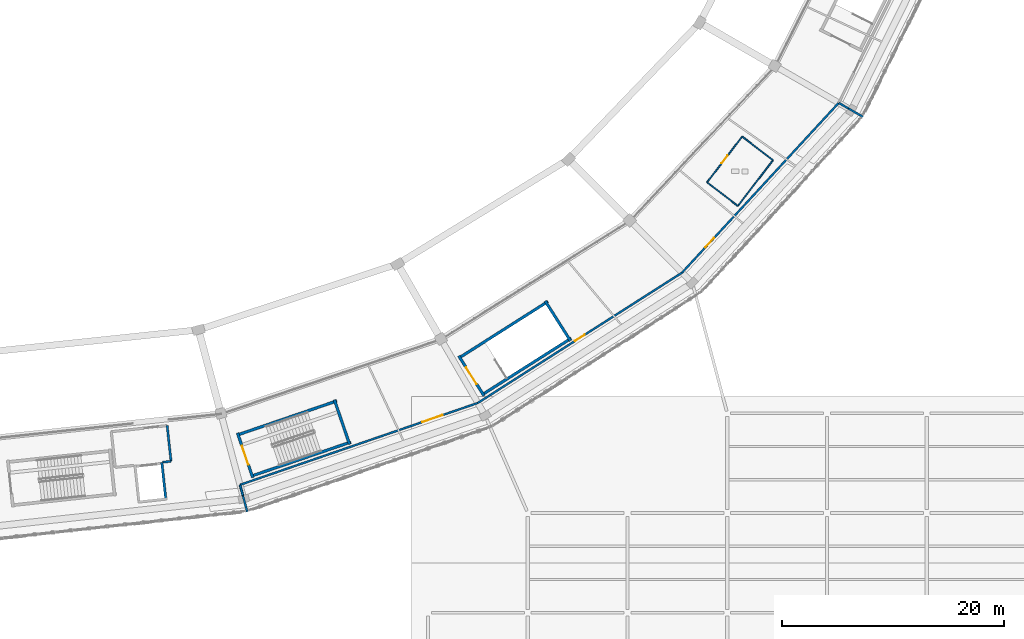
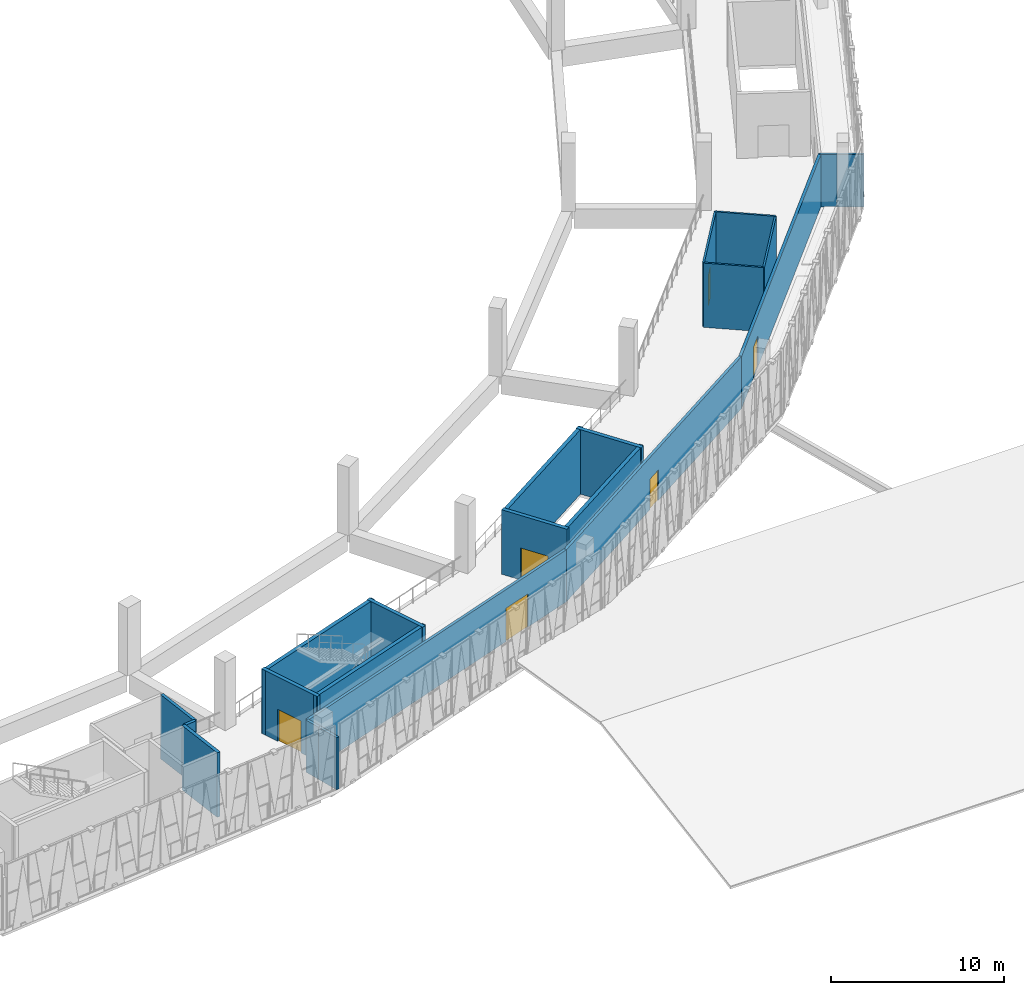
# One storey, part 69 of 108: 22 walls, 6 doors, 6 openings.
"""IFC4 building model written with IfcOpenShell, lengths in metres."""

from ifc_helpers import new_model, si_unit, direction, frame, frame_2d, origin, place, context, subcontext, project, spatial, rectangle, extrude, material, layer, layer_set, type_object, element, fill, save


model = new_model("IFC4")

# Units and contexts
model_context = context("Model", 3, precision=1e-05, world=origin(), true_north=direction((0.0, 1.0)))
body_context = subcontext(model_context, "Body", "Model", "MODEL_VIEW")
ifc_project = project(units=[si_unit("LENGTHUNIT", "METRE"), si_unit("AREAUNIT", "SQUARE_METRE"), si_unit("VOLUMEUNIT", "CUBIC_METRE"), si_unit("PLANEANGLEUNIT", "RADIAN"), si_unit("MASSUNIT", "GRAM", prefix="KILO")], contexts=[model_context])

# Site, building, storey
site_placement = place(None, origin())
site = spatial("IfcSite", under=ifc_project, at=site_placement, CompositionType="ELEMENT")
building_placement = place(site_placement, origin())
building = spatial("IfcBuilding", under=site, at=building_placement, Name="Zevraka Park Crest Stadium", CompositionType="ELEMENT")
storey_placement = place(building_placement, frame((0.0, 0.0, 19.800048828125)))
storey = spatial("IfcBuildingStorey", under=building, at=storey_placement, Name="L04", CompositionType="ELEMENT", Elevation=19.800048828125)

# Walls
ifc_material_1 = material(Name="Autoclaved aerated masonry blockwork", Category="masonry")
ifc_layer_1 = layer(ifc_material_1, 0.199951171875)
ifc_layer_set_1 = layer_set([ifc_layer_1], Name="Autoclaved aerated masonry blockwork")
wall_type_1 = type_object("IfcWallType", Name="IW01", PredefinedType="PARTITIONING", material=ifc_layer_set_1)
wall_1_placement = place(storey_placement, frame((128.804931640625, 22.6650390625, 0.0), z_axis=(0.0, 0.0, 1.0), x_axis=(-0.994146742738, -0.108038205757, 0.0)))
element("IfcWall", 1, at=wall_1_placement, inside=storey, type_object=wall_type_1, Name="Firefighting Lift Lobby Wall IW01 FL04 L04 BACKL", PredefinedType="PARTITIONING", context=body_context, shape_type="SweptSolid", body=[
    extrude(rectangle(XDim=0.750244140625, YDim=0.199951171875, at=frame_2d((0.375, 0.0))), origin(), (0.0, 0.0, 1.0), 4.52001953125),
])
wall_2_placement = place(storey_placement, frame((128.804931640625, 22.6650390625, 0.0), z_axis=(0.0, 0.0, 1.0), x_axis=(-0.108280975823, 0.994120329877, 0.0)))
element("IfcWall", 2, at=wall_2_placement, inside=storey, type_object=wall_type_1, Name="Firefighting Lift Lobby Wall IW01 FL04 L04 LEFT", PredefinedType="PARTITIONING", context=body_context, shape_type="SweptSolid", body=[
    extrude(rectangle(XDim=3.239990234375, YDim=0.199951171875, at=frame_2d((1.6201171875, 0.0))), origin(), (0.0, 0.0, 1.0), 4.52001953125),
])

# Wall, opening, door
ifc_material_2 = material(Name="Moisture-resistant sanitary partition", Category="other")
ifc_layer_2 = layer(ifc_material_2, 0.1201171875)
ifc_layer_set_2 = layer_set([ifc_layer_2], Name="Moisture-resistant sanitary partition")
wall_type_2 = type_object("IfcWallType", Name="IW04", PredefinedType="PARTITIONING", material=ifc_layer_set_2)
wall_3_placement = place(storey_placement, frame((177.177978515625, 47.841064453125, 0.0), z_axis=(0.0, 0.0, 1.0), x_axis=(0.608648360817, 0.793440087767, 0.0)))
wall_3 = element("IfcWall", 3, at=wall_3_placement, inside=storey, type_object=wall_type_2, Name="Sanitary Enclosure Wall IW04 Female WC L04-002-1", PredefinedType="PARTITIONING", context=body_context, shape_type="SweptSolid", body=[
    extrude(rectangle(XDim=5.2001953125, YDim=0.1201171875, at=frame_2d((2.60009765625, 0.0))), origin(), (0.0, 0.0, 1.0), 4.52001953125),
])
opening_1_placement = place(wall_3_placement, frame((2.159912109375, 0.0, 0.0)))
opening_1 = element("IfcOpeningElement", 4, at=opening_1_placement, cuts=wall_3, Name="Opening D-L04-350", PredefinedType="OPENING", context=body_context, shape_type="SweptSolid", body=[
    extrude(rectangle(XDim=0.8798828125, YDim=2.10009765625, at=frame_2d((0.43994140625, 1.050048828125))), frame((0.0, 0.070068359375, 0.0), z_axis=(0.0, -1.0, 0.0), x_axis=(1.0, 0.0, 0.0)), (0.0, 0.0, 1.0), 0.14013671875),
])
ifc_material_3 = material(Name="Solid-core hardwood timber leaf in steel frame", Category="steel")
door_type_1 = type_object("IfcDoorType", Name="DR19", OperationType="NOTDEFINED", PredefinedType="DOOR", material=ifc_material_3)
door_1_placement = place(opening_1_placement, origin())
door_1 = element("IfcDoor", 5, at=door_1_placement, inside=storey, type_object=door_type_1, Name="Female WC Door D-L04-350", OperationType="SINGLE_SWING_RIGHT", OverallHeight=2.10009765625, OverallWidth=0.8798828125, PredefinedType="DOOR", context=body_context, shape_type="SweptSolid", body=[
    extrude(rectangle(XDim=0.8798828125, YDim=2.10009765625, at=frame_2d((0.43994140625, 1.050048828125))), frame((0.0, 0.02490234375, 0.0), z_axis=(0.0, -1.0, 0.0), x_axis=(1.0, 0.0, 0.0)), (0.0, 0.0, 1.0), 0.050048828125),
])
fill(opening_1, door_1)

# Walls
wall_4_placement = place(storey_placement, frame((180.343017578125, 51.967041015625, 0.0), z_axis=(0.0, 0.0, 1.0), x_axis=(0.793331259853, -0.608790203715, 0.0)))
element("IfcWall", 6, at=wall_4_placement, inside=storey, type_object=wall_type_2, Name="Sanitary Enclosure Wall IW04 Female WC L04-002-2", PredefinedType="PARTITIONING", context=body_context, shape_type="SweptSolid", body=[
    extrude(rectangle(XDim=3.50048828125, YDim=0.1201171875, at=frame_2d((1.750244140625, 0.0))), origin(), (0.0, 0.0, 1.0), 4.52001953125),
])
wall_5_placement = place(storey_placement, frame((183.1201171875, 49.8359375, 0.0), z_axis=(0.0, 0.0, 1.0), x_axis=(-0.608739062155, -0.793370502481, 0.0)))
element("IfcWall", 7, at=wall_5_placement, inside=storey, type_object=wall_type_2, Name="Sanitary Enclosure Wall IW04 Female WC L04-002-3", PredefinedType="PARTITIONING", context=body_context, shape_type="SweptSolid", body=[
    extrude(rectangle(XDim=5.19921875, YDim=0.1201171875, at=frame_2d((2.599609375, 0.0))), origin(), (0.0, 0.0, 1.0), 4.52001953125),
])
wall_6_placement = place(storey_placement, frame((179.955078125, 45.7109375, 0.0), z_axis=(0.0, 0.0, 1.0), x_axis=(-0.793465999837, 0.608614580094, 0.0)))
element("IfcWall", 8, at=wall_6_placement, inside=storey, type_object=wall_type_2, Name="Sanitary Enclosure Wall IW04 Female WC L04-002-4", PredefinedType="PARTITIONING", context=body_context, shape_type="SweptSolid", body=[
    extrude(rectangle(XDim=3.5, YDim=0.1201171875, at=frame_2d((1.75, 0.0))), origin(), (0.0, 0.0, 1.0), 4.52001953125),
])

# Wall, opening, door
ifc_material_4 = material(Name="Fire-rated twin-stud acoustic drywall", Category="other")
ifc_layer_3 = layer(ifc_material_4, 0.179931640625)
ifc_layer_set_3 = layer_set([ifc_layer_3], Name="Fire-rated twin-stud acoustic drywall")
wall_type_3 = type_object("IfcWallType", Name="IW06", PredefinedType="PARTITIONING", material=ifc_layer_set_3)
wall_7_placement = place(storey_placement, frame((135.030029296875, 20.541015625, 0.0), z_axis=(0.0, 0.0, 1.0), x_axis=(0.945509956828, 0.32559318411, 0.0)))
wall_7 = element("IfcWall", 9, at=wall_7_placement, inside=storey, type_object=wall_type_3, Name="Interior Partition IW06 Executive Club Lounge L04", PredefinedType="PARTITIONING", context=body_context, shape_type="SweptSolid", body=[
    extrude(rectangle(XDim=22.69677734375, YDim=0.179931640625, at=frame_2d((11.348388671875, 0.0))), origin(), (0.0, 0.0, 1.0), 3.6650390625),
])
opening_2_placement = place(wall_7_placement, frame((17.381103515625, 0.0, 0.0)))
opening_2 = element("IfcOpeningElement", 10, at=opening_2_placement, cuts=wall_7, Name="Opening D-L04-487", PredefinedType="OPENING", context=body_context, shape_type="SweptSolid", body=[
    extrude(rectangle(XDim=1.949951171875, YDim=2.35009765625, at=frame_2d((0.97509765625, 1.175048828125))), frame((0.0, 0.099853515625, 0.0), z_axis=(0.0, -1.0, 0.0), x_axis=(1.0, 0.0, 0.0)), (0.0, 0.0, 1.0), 0.199951171875),
])
ifc_material_5 = material(Name="Solid-core hardwood timber leaf in steel frame", Category="steel")
door_type_2 = type_object("IfcDoorType", Name="DR28", OperationType="NOTDEFINED", PredefinedType="DOOR", material=ifc_material_5)
door_2_placement = place(opening_2_placement, origin())
door_2 = element("IfcDoor", 11, at=door_2_placement, inside=storey, type_object=door_type_2, Name="Executive Club Lounge Door D-L04-487", OperationType="DOUBLE_DOOR_SINGLE_SWING", OverallHeight=2.35009765625, OverallWidth=1.949951171875, PredefinedType="DOOR", context=body_context, shape_type="SweptSolid", body=[
    extrude(rectangle(XDim=1.949951171875, YDim=2.35009765625, at=frame_2d((0.97509765625, 1.175048828125))), frame((0.0, 0.02490234375, 0.0), z_axis=(0.0, -1.0, 0.0), x_axis=(1.0, 0.0, 0.0)), (0.0, 0.0, 1.0), 0.050048828125),
])
fill(opening_2, door_2)

wall_8_placement = place(storey_placement, frame((156.489990234375, 27.930908203125, 0.0), z_axis=(0.0, 0.0, 1.0), x_axis=(0.843035459997, 0.537857986077, 0.0)))
wall_8 = element("IfcWall", 12, at=wall_8_placement, inside=storey, type_object=wall_type_3, Name="Interior Partition IW06 Executive Club Lounge L04", PredefinedType="PARTITIONING", context=body_context, shape_type="SweptSolid", body=[
    extrude(rectangle(XDim=21.859130859375, YDim=0.179931640625, at=frame_2d((10.9296875, 0.0))), origin(), (0.0, 0.0, 1.0), 3.6650390625),
])
opening_3_placement = place(wall_8_placement, frame((10.405029296875, 0.0, 0.0)))
opening_3 = element("IfcOpeningElement", 13, at=opening_3_placement, cuts=wall_8, Name="Opening D-L04-488", PredefinedType="OPENING", context=body_context, shape_type="SweptSolid", body=[
    extrude(rectangle(XDim=1.050048828125, YDim=2.14990234375, at=frame_2d((0.52490234375, 1.074951171875))), frame((0.0, 0.099853515625, 0.0), z_axis=(0.0, -1.0, 0.0), x_axis=(1.0, 0.0, 0.0)), (0.0, 0.0, 1.0), 0.199951171875),
])
ifc_material_6 = material(Name="Solid-core hardwood timber leaf in steel frame", Category="steel")
door_type_3 = type_object("IfcDoorType", Name="DR02", OperationType="NOTDEFINED", PredefinedType="DOOR", material=ifc_material_6)
door_3_placement = place(opening_3_placement, origin())
door_3 = element("IfcDoor", 14, at=door_3_placement, inside=storey, type_object=door_type_3, Name="Executive Club Lounge Door D-L04-488", OperationType="SINGLE_SWING_RIGHT", OverallHeight=2.14990234375, OverallWidth=1.050048828125, PredefinedType="DOOR", context=body_context, shape_type="SweptSolid", body=[
    extrude(rectangle(XDim=1.050048828125, YDim=2.14990234375, at=frame_2d((0.52490234375, 1.074951171875))), frame((0.0, 0.02490234375, 0.0), z_axis=(0.0, -1.0, 0.0), x_axis=(1.0, 0.0, 0.0)), (0.0, 0.0, 1.0), 0.050048828125),
])
fill(opening_3, door_3)

wall_9_placement = place(storey_placement, frame((174.91796875, 39.68798828125, 0.0), z_axis=(0.0, 0.0, 1.0), x_axis=(0.678220768878, 0.734858209903, 0.0)))
wall_9 = element("IfcWall", 15, at=wall_9_placement, inside=storey, type_object=wall_type_3, Name="Interior Partition IW06 Executive Club Lounge L04", PredefinedType="PARTITIONING", context=body_context, shape_type="SweptSolid", body=[
    extrude(rectangle(XDim=20.850341796875, YDim=0.179931640625, at=frame_2d((10.42529296875, 0.0))), origin(), (0.0, 0.0, 1.0), 3.6650390625),
])
opening_4_placement = place(wall_9_placement, frame((3.094970703125, 0.0, 0.0)))
opening_4 = element("IfcOpeningElement", 16, at=opening_4_placement, cuts=wall_9, Name="Opening D-L04-489", PredefinedType="OPENING", context=body_context, shape_type="SweptSolid", body=[
    extrude(rectangle(XDim=1.14990234375, YDim=2.199951171875, at=frame_2d((0.574951171875, 1.10009765625))), frame((0.0, 0.099853515625, 0.0), z_axis=(0.0, -1.0, 0.0), x_axis=(1.0, 0.0, 0.0)), (0.0, 0.0, 1.0), 0.199951171875),
])
ifc_material_7 = material(Name="Solid-core hardwood timber leaf in steel frame", Category="steel")
door_type_4 = type_object("IfcDoorType", Name="DR03", OperationType="NOTDEFINED", PredefinedType="DOOR", material=ifc_material_7)
door_4_placement = place(opening_4_placement, origin())
door_4 = element("IfcDoor", 17, at=door_4_placement, inside=storey, type_object=door_type_4, Name="Executive Club Lounge Door D-L04-489", OperationType="SINGLE_SWING_LEFT", OverallHeight=2.199951171875, OverallWidth=1.14990234375, PredefinedType="DOOR", context=body_context, shape_type="SweptSolid", body=[
    extrude(rectangle(XDim=1.14990234375, YDim=2.199951171875, at=frame_2d((0.574951171875, 1.10009765625))), frame((0.0, 0.02490234375, 0.0), z_axis=(0.0, -1.0, 0.0), x_axis=(1.0, 0.0, 0.0)), (0.0, 0.0, 1.0), 0.050048828125),
])
fill(opening_4, door_4)

# Walls
wall_10_placement = place(storey_placement, frame((135.030029296875, 20.541015625, 0.0), z_axis=(0.0, 0.0, 1.0), x_axis=(0.258550707932, -0.965997687072, 0.0)))
element("IfcWall", 18, at=wall_10_placement, inside=storey, type_object=wall_type_3, Name="Interior Partition IW06 Executive Club Lounge L04", PredefinedType="PARTITIONING", context=body_context, shape_type="SweptSolid", body=[
    extrude(rectangle(XDim=1.009521484375, YDim=0.179931640625, at=frame_2d((0.5048828125, 0.0))), origin(), (0.0, 0.0, 1.0), 3.6650390625),
])
wall_11_placement = place(storey_placement, frame((135.2880859375, 19.5810546875, 0.0), z_axis=(0.0, 0.0, 1.0), x_axis=(0.25809085904, -0.966120649029, 0.0)))
element("IfcWall", 19, at=wall_11_placement, inside=storey, type_object=wall_type_3, Name="Interior Partition IW06 Executive Club Lounge L04", PredefinedType="PARTITIONING", context=body_context, shape_type="SweptSolid", body=[
    extrude(rectangle(XDim=1.52587890625, YDim=0.179931640625, at=frame_2d((0.762939453125, 0.0))), origin(), (0.0, 0.0, 1.0), 3.6650390625),
])
wall_12_placement = place(storey_placement, frame((189.05908203125, 55.010009765625, 0.0), z_axis=(0.0, 0.0, 1.0), x_axis=(0.866048774504, -0.499959518541, 0.0)))
element("IfcWall", 20, at=wall_12_placement, inside=storey, type_object=wall_type_3, Name="Interior Partition IW06 Executive Club Lounge L04", PredefinedType="PARTITIONING", context=body_context, shape_type="SweptSolid", body=[
    extrude(rectangle(XDim=1.01025390625, YDim=0.179931640625, at=frame_2d((0.505126953125, 0.0))), origin(), (0.0, 0.0, 1.0), 3.6650390625),
])
wall_13_placement = place(storey_placement, frame((189.9208984375, 54.511962890625, 0.0), z_axis=(0.0, 0.0, 1.0), x_axis=(0.866076232617, -0.499911951544, 0.0)))
element("IfcWall", 21, at=wall_13_placement, inside=storey, type_object=wall_type_3, Name="Interior Partition IW06 Executive Club Lounge L04", PredefinedType="PARTITIONING", context=body_context, shape_type="SweptSolid", body=[
    extrude(rectangle(XDim=1.524169921875, YDim=0.179931640625, at=frame_2d((0.76220703125, 0.0))), origin(), (0.0, 0.0, 1.0), 3.6650390625),
])
ifc_material_8 = material(Name="Concrete C40/50", Category="concrete")
ifc_layer_4 = layer(ifc_material_8, 0.25)
ifc_layer_set_4 = layer_set([ifc_layer_4], Name="Concrete C40/50")
wall_type_4 = type_object("IfcWallType", Name="SW01", PredefinedType="SHEAR", material=ifc_layer_set_4)
wall_14_placement = place(storey_placement, frame((136.00732421875, 21.314208984375, 0.0), z_axis=(0.0, 0.0, 1.0), x_axis=(0.946064424228, 0.323978556712, 0.0)))
element("IfcWall", 22, at=wall_14_placement, inside=storey, type_object=wall_type_4, Name="Stair Core Shear Wall SW01 ST20 L04 left", PredefinedType="SHEAR", context=body_context, shape_type="SweptSolid", body=[
    extrude(rectangle(XDim=9.550048828125, YDim=0.25, at=frame_2d((4.77490234375, 0.0))), origin(), (0.0, 0.0, 1.0), 4.5400390625),
])
wall_15_placement = place(storey_placement, frame((143.7724609375, 28.116943359375, 0.0), z_axis=(0.0, 0.0, 1.0), x_axis=(-0.946067107432, -0.323970721263, 0.0)))
element("IfcWall", 23, at=wall_15_placement, inside=storey, type_object=wall_type_4, Name="Stair Core Shear Wall SW01 ST20 L04 right", PredefinedType="SHEAR", context=body_context, shape_type="SweptSolid", body=[
    extrude(rectangle(XDim=9.55029296875, YDim=0.25, at=frame_2d((4.775146484375, 0.0))), origin(), (0.0, 0.0, 1.0), 4.5400390625),
])

# Wall, opening, door
wall_16_placement = place(storey_placement, frame((134.800537109375, 25.22412109375, 0.0), z_axis=(0.0, 0.0, 1.0), x_axis=(0.323988758717, -0.946060930504, 0.0)))
wall_16 = element("IfcWall", 24, at=wall_16_placement, inside=storey, type_object=wall_type_4, Name="Stair Core Shear Wall SW01 ST20 L04 near", PredefinedType="SHEAR", context=body_context, shape_type="SweptSolid", body=[
    extrude(rectangle(XDim=4.259765625, YDim=0.25, at=frame_2d((2.1298828125, 0.0))), origin(), (0.0, 0.0, 1.0), 4.5400390625),
])
opening_5_placement = place(wall_16_placement, frame((1.22998046875, 0.0, 0.0)))
opening_5 = element("IfcOpeningElement", 25, at=opening_5_placement, cuts=wall_16, Name="Opening D-L04-121", PredefinedType="OPENING", context=body_context, shape_type="SweptSolid", body=[
    extrude(rectangle(XDim=1.800048828125, YDim=2.25, at=frame_2d((0.89990234375, 1.125))), frame((0.0, 0.135009765625, 0.0), z_axis=(0.0, -1.0, 0.0), x_axis=(1.0, 0.0, 0.0)), (0.0, 0.0, 1.0), 0.27001953125),
])
ifc_material_9 = material(Name="Solid-core hardwood timber leaf in steel frame", Category="steel")
door_type_5 = type_object("IfcDoorType", Name="DR04", OperationType="NOTDEFINED", PredefinedType="DOOR", material=ifc_material_9)
door_5_placement = place(opening_5_placement, origin())
door_5 = element("IfcDoor", 26, at=door_5_placement, inside=storey, type_object=door_type_5, Name="Protected Stair Entry Door ST20 L04", OperationType="DOUBLE_DOOR_SINGLE_SWING", OverallHeight=2.25, OverallWidth=1.800048828125, PredefinedType="DOOR", context=body_context, shape_type="SweptSolid", body=[
    extrude(rectangle(XDim=1.800048828125, YDim=2.25, at=frame_2d((0.89990234375, 1.125))), frame((0.0, 0.02490234375, 0.0), z_axis=(0.0, -1.0, 0.0), x_axis=(1.0, 0.0, 0.0)), (0.0, 0.0, 1.0), 0.050048828125),
])
fill(opening_5, door_5)

# Walls
wall_17_placement = place(storey_placement, frame((144.92236328125, 24.1875, 0.0), z_axis=(0.0, 0.0, 1.0), x_axis=(-0.323971192516, 0.946066946056, 0.0)))
element("IfcWall", 27, at=wall_17_placement, inside=storey, type_object=wall_type_4, Name="Stair Core Shear Wall SW01 ST20 L04 far", PredefinedType="SHEAR", context=body_context, shape_type="SweptSolid", body=[
    extrude(rectangle(XDim=4.260009765625, YDim=0.25, at=frame_2d((2.1298828125, 0.0))), origin(), (0.0, 0.0, 1.0), 4.5400390625),
])
for number, where, z_axis, x_axis, name in (
    (28, (156.852783203125, 28.656494140625, 0.0), (0.0, 0.0, 1.0), (0.844391246241, 0.535727004427, 0.0), "Stair Core Shear Wall SW01 ST21 L04 left"),
    (29, (162.816650390625, 37.082763671875, 0.0), (0.0, 0.0, 1.0), (-0.844391246241, -0.535727004427, 0.0), "Stair Core Shear Wall SW01 ST21 L04 right"),
):
    element("IfcWall", number, at=place(storey_placement, frame(where, z_axis=z_axis, x_axis=x_axis)), inside=storey, type_object=wall_type_4, Name=name, PredefinedType="SHEAR", context=body_context, shape_type="SweptSolid", body=[
        extrude(rectangle(XDim=9.550048828125, YDim=0.25, at=frame_2d((4.77490234375, 0.0))), origin(), (0.0, 0.0, 1.0), 4.5400390625),
    ])

# Wall, opening, door
wall_18_placement = place(storey_placement, frame((154.767333984375, 32.177001953125, 0.0), z_axis=(0.0, 0.0, 1.0), x_axis=(0.535684577572, -0.844418162613, 0.0)))
wall_18 = element("IfcWall", 30, at=wall_18_placement, inside=storey, type_object=wall_type_4, Name="Stair Core Shear Wall SW01 ST21 L04 near", PredefinedType="SHEAR", context=body_context, shape_type="SweptSolid", body=[
    extrude(rectangle(XDim=4.260009765625, YDim=0.25, at=frame_2d((2.1298828125, 0.0))), origin(), (0.0, 0.0, 1.0), 4.5400390625),
])
opening_6_placement = place(wall_18_placement, frame((1.22998046875, 0.0, 0.0)))
opening_6 = element("IfcOpeningElement", 31, at=opening_6_placement, cuts=wall_18, Name="Opening D-L04-128", PredefinedType="OPENING", context=body_context, shape_type="SweptSolid", body=[
    extrude(rectangle(XDim=1.800048828125, YDim=2.25, at=frame_2d((0.89990234375, 1.125))), frame((0.0, 0.135009765625, 0.0), z_axis=(0.0, -1.0, 0.0), x_axis=(1.0, 0.0, 0.0)), (0.0, 0.0, 1.0), 0.27001953125),
])
door_6_placement = place(opening_6_placement, origin())
door_6 = element("IfcDoor", 32, at=door_6_placement, inside=storey, type_object=door_type_5, Name="Protected Stair Entry Door ST21 L04", OperationType="DOUBLE_DOOR_SINGLE_SWING", OverallHeight=2.25, OverallWidth=1.800048828125, PredefinedType="DOOR", context=body_context, shape_type="SweptSolid", body=[
    extrude(rectangle(XDim=1.800048828125, YDim=2.25, at=frame_2d((0.89990234375, 1.125))), frame((0.0, 0.02490234375, 0.0), z_axis=(0.0, -1.0, 0.0), x_axis=(1.0, 0.0, 0.0)), (0.0, 0.0, 1.0), 0.050048828125),
])
fill(opening_6, door_6)

# Walls
wall_19_placement = place(storey_placement, frame((164.8515625, 33.530029296875, 0.0), z_axis=(0.0, 0.0, 1.0), x_axis=(-0.53572544074, 0.844392238325, 0.0)))
element("IfcWall", 33, at=wall_19_placement, inside=storey, type_object=wall_type_4, Name="Stair Core Shear Wall SW01 ST21 L04 far", PredefinedType="SHEAR", context=body_context, shape_type="SweptSolid", body=[
    extrude(rectangle(XDim=4.260009765625, YDim=0.25, at=frame_2d((2.1298828125, 0.0))), origin(), (0.0, 0.0, 1.0), 4.5400390625),
])
ifc_material_10 = material(Name="Concrete C40/50", Category="concrete")
ifc_layer_5 = layer(ifc_material_10, 0.219970703125)
ifc_layer_set_5 = layer_set([ifc_layer_5], Name="Concrete C40/50")
wall_type_5 = type_object("IfcWallType", Name="SW02", PredefinedType="SHEAR", material=ifc_layer_set_5)
wall_20_placement = place(storey_placement, frame((128.343994140625, 19.155029296875, 0.0), z_axis=(0.0, 0.0, 1.0), x_axis=(-0.108748511736, 0.994069293961, 0.0)))
element("IfcWall", 34, at=wall_20_placement, inside=storey, type_object=wall_type_5, Name="Lift Shaft Shear Wall SW02 FL04 L04-2", PredefinedType="SHEAR", context=body_context, shape_type="SweptSolid", body=[
    extrude(rectangle(XDim=3.439453125, YDim=0.219970703125, at=frame_2d((1.7197265625, 0.0))), origin(), (0.0, 0.0, 1.0), 4.5400390625),
])

save(model, "model.ifc")
